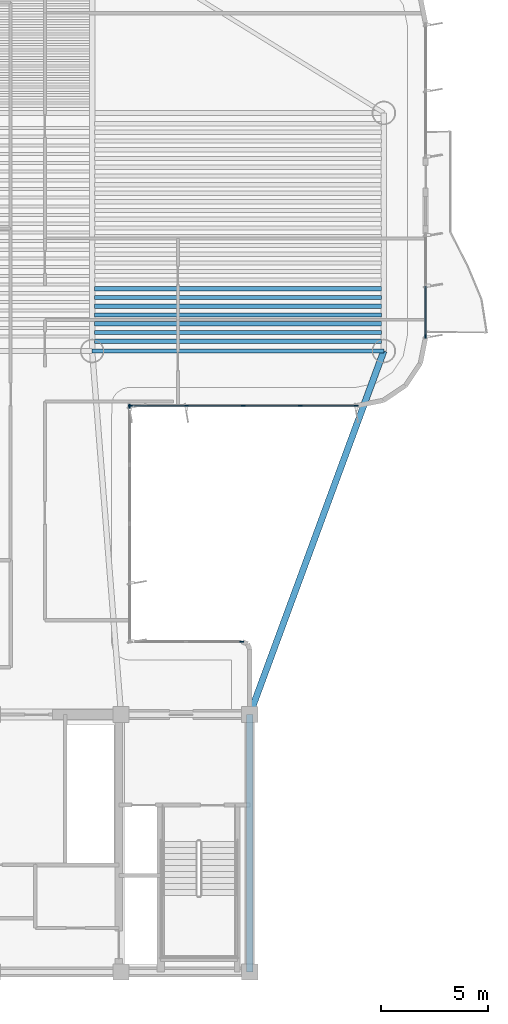
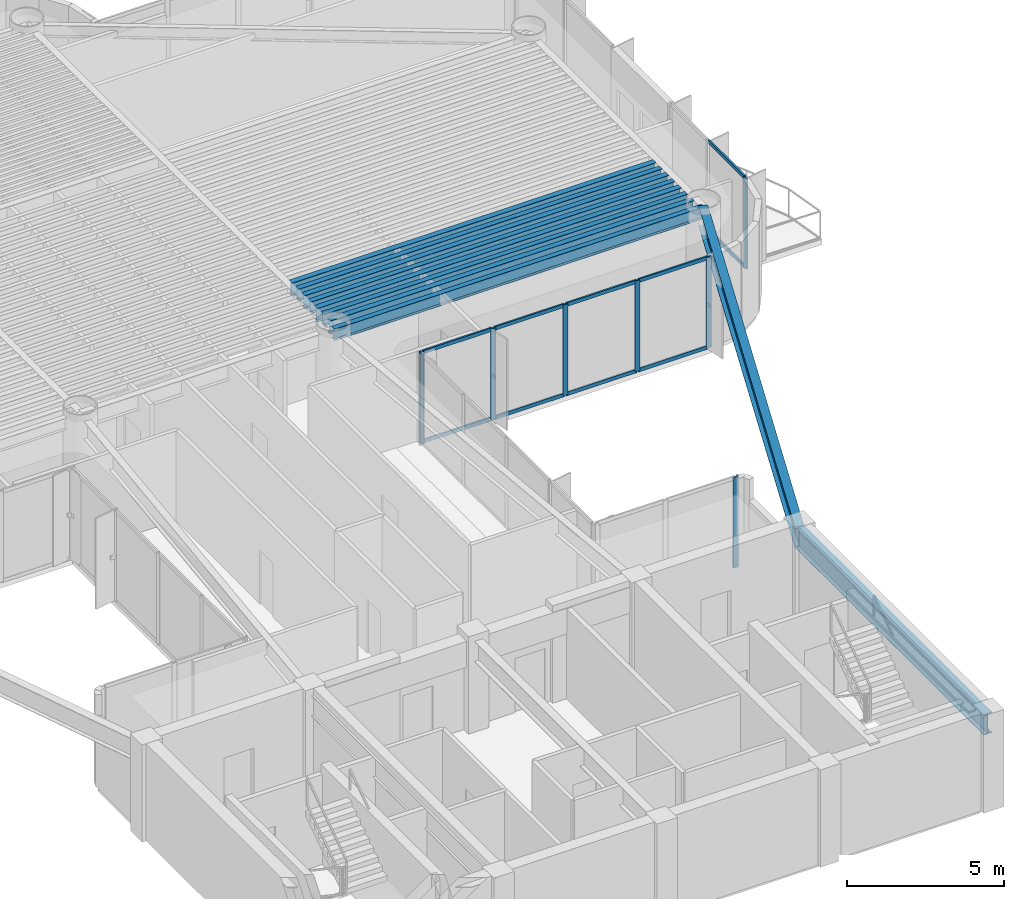
# One storey, part 4 of 14: 18 members, 10 beams, 4 elements without a shape of their own.
"""IFC4 building model written with IfcOpenShell, lengths in metres."""

import ifcopenshell
import ifcopenshell.guid

model = None  # the IFC model being written
_history = None  # IfcOwnerHistory: only IFC2X3 demands one
_inside = {}  # id of a spatial element -> (the spatial element, [elements in it])
_under = {}  # id of a project, library or spatial element -> (it, [spatial elements below it])
_declared = {}  # id of a project -> (the project, [libraries it declares])
_typed = {}  # id of a type object -> (the type object, [elements of that type])
_made_of = {}  # id of a material, layer set ... -> (it, [elements and type objects made of it])


def new_model(schema):
    """Start an empty IFC model of exactly this schema.

    Asked for "IFC4X3", IfcOpenShell would pick the latest addendum, in which some entities
    have other attributes; the version numbers below select the first issue.
    IFC2X3 requires an IfcOwnerHistory on every rooted entity: one is made here for all.
    """
    global model, _history
    if schema == "IFC4X3":
        model = ifcopenshell.file(schema_version=(4, 3, 0, 0))
    else:
        model = ifcopenshell.file(schema=schema)
    _inside.clear()
    _under.clear()
    _declared.clear()
    _typed.clear()
    _made_of.clear()
    _history = None
    if model.schema == "IFC2X3":
        org = make("IfcOrganization", Name="unknown")
        user = make(
            "IfcPersonAndOrganization",
            ThePerson=make("IfcPerson", FamilyName="unknown"),
            TheOrganization=org,
        )
        app = make(
            "IfcApplication",
            ApplicationDeveloper=org,
            Version="unknown",
            ApplicationFullName="unknown",
            ApplicationIdentifier="unknown",
        )
        _history = make(
            "IfcOwnerHistory",
            OwningUser=user,
            OwningApplication=app,
            ChangeAction="ADDED",
            CreationDate=0,
        )
    return model


def make(cls, **values):
    """One entity of the class cls with the attributes given. An attribute that is None is left unset."""
    return model.create_entity(
        cls, **{name: value for name, value in values.items() if value is not None}
    )


def rooted(cls, **values):
    """An entity with a GlobalId (a new one), such as an element, a storey or a relation."""
    return make(cls, GlobalId=ifcopenshell.guid.new(), OwnerHistory=_history, **values)


def si_unit(unit_type, name, prefix=None):
    """IfcSIUnit, for example si_unit("LENGTHUNIT", "METRE", prefix="MILLI")."""
    return make("IfcSIUnit", UnitType=unit_type, Prefix=prefix, Name=name)


def assignment(units):
    """IfcUnitAssignment: the units of a project."""
    return None if units is None else make("IfcUnitAssignment", Units=units)


def point(xyz):
    """IfcCartesianPoint."""
    return None if xyz is None else make("IfcCartesianPoint", Coordinates=xyz)


def direction(xyz):
    """IfcDirection."""
    return None if xyz is None else make("IfcDirection", DirectionRatios=xyz)


def frame(location, z_axis=None, x_axis=None):
    """IfcAxis2Placement3D, a coordinate frame: its origin and axes. An axis left out is left unset."""
    return make(
        "IfcAxis2Placement3D",
        Location=point(location),
        Axis=direction(z_axis),
        RefDirection=direction(x_axis),
    )


def frame_2d(location, x_axis=None):
    """IfcAxis2Placement2D, a coordinate frame in the plane: its origin and x axis."""
    return make(
        "IfcAxis2Placement2D", Location=point(location), RefDirection=direction(x_axis)
    )


def origin():
    """The frame at (0, 0, 0) with its axes left unset."""
    return frame((0.0, 0.0, 0.0))


def origin_2d():
    """The frame at (0, 0) in the plane with its x axis left unset."""
    return frame_2d((0.0, 0.0))


def place(relative_to, where):
    """IfcLocalPlacement: puts the frame where relative to a parent placement (None: the world)."""
    return make(
        "IfcLocalPlacement", PlacementRelTo=relative_to, RelativePlacement=where
    )


def context(
    kind, dimensions, precision=None, world=None, true_north=None, identifier=None
):
    """IfcGeometricRepresentationContext, for example the 3D "Model" context."""
    return make(
        "IfcGeometricRepresentationContext",
        ContextIdentifier=identifier,
        ContextType=kind,
        CoordinateSpaceDimension=dimensions,
        Precision=precision,
        WorldCoordinateSystem=world,
        TrueNorth=true_north,
    )


def subcontext(parent, identifier, kind, view, scale=None):
    """IfcGeometricRepresentationSubContext, for example "Body" below "Model"."""
    return make(
        "IfcGeometricRepresentationSubContext",
        ContextIdentifier=identifier,
        ContextType=kind,
        ParentContext=parent,
        TargetScale=scale,
        TargetView=view,
    )


def project(units=None, contexts=None):
    """IfcProject with its units and contexts."""
    return rooted(
        "IfcProject",
        Name="project",
        RepresentationContexts=contexts,
        UnitsInContext=assignment(units),
    )


def spatial(cls, under=None, at=None, **own):
    """A site, building, storey or space (cls), placed at a placement, below another one or the project."""
    s = rooted(cls, ObjectPlacement=at, **own)
    if under is not None:
        _under.setdefault(under.id(), (under, []))[1].append(s)
    return s


def profile(cls, at=None, kind="AREA", **sizes):
    """A parametric profile (cls). Its sizes go by their IFC names, for example OverallWidth=200.0."""
    return make(cls, ProfileType=kind, Position=at, **sizes)


def rectangle(**sizes):
    """IfcRectangleProfileDef."""
    return profile("IfcRectangleProfileDef", **sizes)


def i_section(**sizes):
    """IfcIShapeProfileDef."""
    return profile("IfcIShapeProfileDef", **sizes)


def extrude(swept, where, along, depth):
    """IfcExtrudedAreaSolid: the profile swept, set in the frame where, extruded along a direction by depth."""
    return make(
        "IfcExtrudedAreaSolid",
        SweptArea=swept,
        Position=where,
        ExtrudedDirection=direction(along),
        Depth=depth,
    )


def shape(context_of_items, identifier, shape_type, items):
    """IfcShapeRepresentation: the items that make up one representation, for example the "Body"."""
    return make(
        "IfcShapeRepresentation",
        ContextOfItems=context_of_items,
        RepresentationIdentifier=identifier,
        RepresentationType=shape_type,
        Items=items,
    )


def source(mapping_origin, context_of_items, identifier, shape_type, items):
    """IfcRepresentationMap: a shape defined once, which mapped items show again and again."""
    return make(
        "IfcRepresentationMap",
        MappingOrigin=mapping_origin,
        MappedRepresentation=shape(context_of_items, identifier, shape_type, items),
    )


def transform(
    local_origin,
    x_axis=None,
    y_axis=None,
    z_axis=None,
    scale=None,
    scale2=None,
    scale3=None,
    uniform=True,
):
    """IfcCartesianTransformationOperator3D, or its non-uniform kind. x_axis, y_axis, z_axis: its Axis1, 2, 3."""
    if uniform:
        return make(
            "IfcCartesianTransformationOperator3D",
            Axis1=direction(x_axis),
            Axis2=direction(y_axis),
            LocalOrigin=point(local_origin),
            Scale=scale,
            Axis3=direction(z_axis),
        )
    return make(
        "IfcCartesianTransformationOperator3DnonUniform",
        Axis1=direction(x_axis),
        Axis2=direction(y_axis),
        LocalOrigin=point(local_origin),
        Scale=scale,
        Axis3=direction(z_axis),
        Scale2=scale2,
        Scale3=scale3,
    )


def mapped(mapping_source, mapping_target):
    """IfcMappedItem: shows the shape of a source again, moved by a transform."""
    return make(
        "IfcMappedItem", MappingSource=mapping_source, MappingTarget=mapping_target
    )


def material(Name=None, Category=None):
    """IfcMaterial."""
    return make("IfcMaterial", Name=Name, Category=Category)


def layer(
    of_material, thickness, ventilated=None, Name=None, Category=None, Priority=None
):
    """IfcMaterialLayer: one layer of a wall or slab, of a material (None: an air gap)."""
    return make(
        "IfcMaterialLayer",
        Material=of_material,
        LayerThickness=thickness,
        IsVentilated=ventilated,
        Name=Name,
        Category=Category,
        Priority=Priority,
    )


def layer_set(layers, Name=None):
    """IfcMaterialLayerSet."""
    return make("IfcMaterialLayerSet", MaterialLayers=layers, LayerSetName=Name)


def material_profile(
    of_material, cross_section, Name=None, Category=None, Priority=None
):
    """IfcMaterialProfile: a cross section and its material."""
    return make(
        "IfcMaterialProfile",
        Name=Name,
        Material=of_material,
        Profile=cross_section,
        Priority=Priority,
        Category=Category,
    )


def profile_set(profiles, Name=None, composite=None):
    """IfcMaterialProfileSet."""
    return make(
        "IfcMaterialProfileSet",
        Name=Name,
        MaterialProfiles=profiles,
        CompositeProfile=composite,
    )


def made_of(thing, what):
    """Note that an element or type object is made of a material, layer set ...; save() writes the relation."""
    if what is not None:
        _made_of.setdefault(what.id(), (what, []))[1].append(thing)
    return thing


def type_object(cls, material=None, **own):
    """A type object (cls), such as IfcWallType, which elements share."""
    return made_of(rooted(cls, **own), material)


def element(
    cls,
    number,
    at=None,
    inside=None,
    cuts=None,
    type_object=None,
    material=None,
    context=None,
    identifier="Body",
    shape_type=None,
    held_by="IfcProductDefinitionShape",
    body=None,
    shapes=None,
    **own,
):
    """One element of the class cls, such as IfcWall. Its Tag is "e" and its number.

    at: its placement. inside: the storey or other place that contains it. cuts: it is an
    opening in that element (IfcRelVoidsElement). A single representation is given by context,
    identifier, shape_type and body (its items); several are given by shapes. held_by: the class
    of the entity that holds the representations. save() writes the other relations.
    """
    e = rooted(cls, Tag="e%d" % number, ObjectPlacement=at, **own)
    if body is not None:
        shapes = [shape(context, identifier, shape_type, body)]
    if shapes is not None:
        e.Representation = make(held_by, Representations=shapes)
    if inside is not None:
        _inside.setdefault(inside.id(), (inside, []))[1].append(e)
    if cuts is not None:
        rooted(
            "IfcRelVoidsElement", RelatingBuildingElement=cuts, RelatedOpeningElement=e
        )
    if type_object is not None:
        _typed.setdefault(type_object.id(), (type_object, []))[1].append(e)
    return made_of(e, material)


def aggregate(whole, parts):
    """IfcRelAggregates: a whole, such as a stair, and the parts it consists of."""
    return rooted("IfcRelAggregates", RelatingObject=whole, RelatedObjects=parts)


def save(model, path):
    """Write the relations noted so far, then the file.

    IfcRelAggregates (storeys below a building ...), IfcRelContainedInSpatialStructure (elements
    in a storey), IfcRelDefinesByType, IfcRelAssociatesMaterial and IfcRelDeclares: one each for
    every whole, place, type object, material and project.
    """
    for whole, parts in _under.values():
        aggregate(whole, parts)
    for where, things in _inside.values():
        rooted(
            "IfcRelContainedInSpatialStructure",
            RelatedElements=things,
            RelatingStructure=where,
        )
    for kind, things in _typed.values():
        rooted("IfcRelDefinesByType", RelatedObjects=things, RelatingType=kind)
    for what, things in _made_of.values():
        rooted("IfcRelAssociatesMaterial", RelatedObjects=things, RelatingMaterial=what)
    for by, libraries in _declared.values():
        rooted("IfcRelDeclares", RelatingContext=by, RelatedDefinitions=libraries)
    model.write(path)


model = new_model("IFC4")

# Units and contexts
model_context = context("Model", 3, precision=1e-05, world=origin(), true_north=direction((0.0, 1.0)))
body_context = subcontext(model_context, "Body", "Model", "MODEL_VIEW")
ifc_project = project(units=[si_unit("LENGTHUNIT", "METRE"), si_unit("AREAUNIT", "SQUARE_METRE"), si_unit("VOLUMEUNIT", "CUBIC_METRE"), si_unit("PLANEANGLEUNIT", "RADIAN"), si_unit("MASSUNIT", "GRAM", prefix="KILO")], contexts=[model_context])

# Site, building, storey
site_placement = place(None, origin())
site = spatial("IfcSite", under=ifc_project, at=site_placement, CompositionType="ELEMENT")
building_placement = place(site_placement, origin())
building = spatial("IfcBuilding", under=site, at=building_placement, Name="Brelvock Crest Care Tower", CompositionType="ELEMENT")
storey_placement = place(building_placement, frame((0.0, 0.0, 182.8798828125)))
storey = spatial("IfcBuildingStorey", under=building, at=storey_placement, Name="L46", CompositionType="ELEMENT", Elevation=182.8798828125)

# Beams
ifc_material_1 = material(Name="Steel Grade 350", Category="steel")
ifc_material_profile_1 = material_profile(ifc_material_1, i_section(OverallWidth=0.300048828125, OverallDepth=0.800048828125, WebThickness=0.013916015625, FlangeThickness=0.02197265625, at=origin_2d()), Name="800WB192")
ifc_profile_set_1 = profile_set([ifc_material_profile_1], Name="Steel Grade 350")
beam_type_1 = type_object("IfcBeamType", Name="BM-G5", PredefinedType="BEAM", material=ifc_profile_set_1)
shared_shape_1 = source(origin(), body_context, "Body", "SweptSolid", [
    extrude(i_section(OverallWidth=0.300048828125, OverallDepth=0.800048828125, WebThickness=0.013916015625, FlangeThickness=0.02197265625, at=origin_2d()), origin(), (0.0, 0.0, 1.0), 12.0),
])
beam_1_placement = place(storey_placement, frame((48.0, 6.0, 3.130126953125), z_axis=(0.0, 1.0, 0.0), x_axis=(-1.0, 0.0, 0.0)))
element("IfcBeam", 1, at=beam_1_placement, inside=storey, type_object=beam_type_1, Name="BM-COREX-L46-5", PredefinedType="BEAM", context=body_context, shape_type="MappedRepresentation", body=[
    mapped(shared_shape_1, transform((0.0, 0.0, 0.0), x_axis=(1.0, 0.0, 0.0), y_axis=(0.0, 1.0, 0.0), z_axis=(0.0, 0.0, 1.0), scale=1.0)),
])
ifc_material_profile_2 = material_profile(ifc_material_1, i_section(OverallWidth=0.208984375, OverallDepth=0.532958984375, WebThickness=0.01025390625, FlangeThickness=0.015625, FilletRadius=0.013916015625, at=origin_2d()), Name="530UB92.4")
ifc_profile_set_2 = profile_set([ifc_material_profile_2], Name="Steel Grade 350")
beam_type_2 = type_object("IfcBeamType", Name="BM-G2", PredefinedType="BEAM", material=ifc_profile_set_2)
shared_shape_2 = source(origin(), body_context, "Body", "SweptSolid", [
    extrude(i_section(OverallWidth=0.208984375, OverallDepth=0.532958984375, WebThickness=0.01025390625, FlangeThickness=0.015625, FilletRadius=0.013916015625, at=origin_2d()), origin(), (0.0, 0.0, 1.0), 13.3701171875),
])
for number, where, z_axis, x_axis, name in (
    (2, (40.764892578125, 35.416259765625, 3.263671875), (1.0, 0.0, 0.0), (0.0, 1.0, 0.0), "BM-JE-L46-1"),
    (3, (40.764892578125, 36.2265625, 3.263671875), (1.0, 0.0, 0.0), (0.0, 1.0, 0.0), "BM-JE-L46-3"),
    (4, (40.764892578125, 37.036865234375, 3.263671875), (1.0, 0.0, 0.0), (0.0, 1.0, 0.0), "BM-JE-L46-5"),
    (5, (40.764892578125, 37.84716796875, 3.263671875), (1.0, 0.0, 0.0), (0.0, 1.0, 0.0), "BM-JE-L46-7"),
):
    element("IfcBeam", number, at=place(storey_placement, frame(where, z_axis=z_axis, x_axis=x_axis)), inside=storey, type_object=beam_type_2, Name=name, PredefinedType="BEAM", context=body_context, shape_type="MappedRepresentation", body=[
        mapped(shared_shape_2, transform((0.0, 0.0, 0.0), x_axis=(1.0, 0.0, 0.0), y_axis=(0.0, 1.0, 0.0), z_axis=(0.0, 0.0, 1.0), scale=1.0)),
    ])
ifc_material_profile_3 = material_profile(ifc_material_1, i_section(OverallWidth=0.19091796875, OverallDepth=0.4599609375, WebThickness=0.010009765625, FlangeThickness=0.01611328125, FilletRadius=0.011474609375, at=origin_2d()), Name="460UB82.1")
ifc_profile_set_3 = profile_set([ifc_material_profile_3], Name="Steel Grade 350")
beam_type_3 = type_object("IfcBeamType", Name="BM-G3", PredefinedType="BEAM", material=ifc_profile_set_3)
shared_shape_3 = source(origin(), body_context, "Body", "SweptSolid", [
    extrude(i_section(OverallWidth=0.19091796875, OverallDepth=0.4599609375, WebThickness=0.010009765625, FlangeThickness=0.01611328125, FilletRadius=0.011474609375, at=origin_2d()), origin(), (0.0, 0.0, 1.0), 13.3701171875),
])
for number, where, z_axis, x_axis, name in (
    (6, (40.764892578125, 35.8212890625, 3.300048828125), (1.0, 0.0, 0.0), (0.0, 1.0, 0.0), "BM-JE-L46-2"),
    (7, (40.764892578125, 36.631591796875, 3.300048828125), (1.0, 0.0, 0.0), (0.0, 1.0, 0.0), "BM-JE-L46-4"),
    (8, (40.764892578125, 37.44189453125, 3.300048828125), (1.0, 0.0, 0.0), (0.0, 1.0, 0.0), "BM-JE-L46-6"),
):
    element("IfcBeam", number, at=place(storey_placement, frame(where, z_axis=z_axis, x_axis=x_axis)), inside=storey, type_object=beam_type_3, Name=name, PredefinedType="BEAM", context=body_context, shape_type="MappedRepresentation", body=[
        mapped(shared_shape_3, transform((0.0, 0.0, 0.0), x_axis=(1.0, 0.0, 0.0), y_axis=(0.0, 1.0, 0.0), z_axis=(0.0, 0.0, 1.0), scale=1.0)),
    ])
ifc_material_profile_4 = material_profile(ifc_material_1, i_section(OverallWidth=0.19091796875, OverallDepth=0.4599609375, WebThickness=0.010009765625, FlangeThickness=0.01611328125, FilletRadius=0.011474609375, at=origin_2d()), Name="460UB82.1")
ifc_profile_set_4 = profile_set([ifc_material_profile_4], Name="Steel Grade 350")
beam_type_4 = type_object("IfcBeamType", Name="BM-SP2", PredefinedType="SPANDREL", material=ifc_profile_set_4)
shared_shape_4 = source(origin(), body_context, "Body", "SweptSolid", [
    extrude(i_section(OverallWidth=0.19091796875, OverallDepth=0.4599609375, WebThickness=0.010009765625, FlangeThickness=0.01611328125, FilletRadius=0.011474609375, at=origin_2d()), origin(), (0.0, 0.0, 1.0), 13.60009765625),
])
beam_2_placement = place(storey_placement, frame((40.64990234375, 34.949951171875, 3.300048828125), z_axis=(1.0, 0.0, 0.0), x_axis=(0.0, 1.0, 0.0)))
element("IfcBeam", 9, at=beam_2_placement, inside=storey, type_object=beam_type_4, Name="BM-TWR-L46-04", PredefinedType="SPANDREL", context=body_context, shape_type="MappedRepresentation", body=[
    mapped(shared_shape_4, transform((0.0, 0.0, 0.0), x_axis=(1.0, 0.0, 0.0), y_axis=(0.0, 1.0, 0.0), z_axis=(0.0, 0.0, 1.0), scale=1.0)),
])
shared_shape_5 = source(origin(), body_context, "Body", "SweptSolid", [
    extrude(i_section(OverallWidth=0.300048828125, OverallDepth=0.800048828125, WebThickness=0.013916015625, FlangeThickness=0.02197265625, at=origin_2d()), origin(), (0.0, 0.0, 1.0), 18.0654296875),
])
beam_3_placement = place(storey_placement, frame((48.0, 18.0, 3.130126953125), z_axis=(0.345962741309, 0.938248251597, 0.0), x_axis=(-0.938248251597, 0.345962741309, 0.0)))
element("IfcBeam", 10, at=beam_3_placement, inside=storey, type_object=beam_type_1, Name="BM-THRO-E-L46", PredefinedType="BEAM", context=body_context, shape_type="MappedRepresentation", body=[
    mapped(shared_shape_5, transform((0.0, 0.0, 0.0), x_axis=(1.0, 0.0, 0.0), y_axis=(0.0, 1.0, 0.0), z_axis=(0.0, 0.0, 1.0), scale=1.0)),
])

# Curtain wall, member
ifc_material_2 = material(Name="Dark Glass Double Glazed Low-E", Category="glass")
ifc_layer = layer(ifc_material_2, 0.22509765625, Name="CWS-4")
ifc_layer_set = layer_set([ifc_layer], Name="Dark Glass Double Glazed Low-E")
curtain_wall_type = type_object("IfcCurtainWallType", Name="CWS-4", PredefinedType="NOTDEFINED", material=ifc_layer_set)
curtain_wall_1_placement = place(storey_placement, origin())
curtain_wall_1 = element("IfcCurtainWall", 11, at=curtain_wall_1_placement, inside=storey, type_object=curtain_wall_type, Name="L46 Curtain Wall E39B", PredefinedType="NOTDEFINED")
ifc_material_3 = material(Name="Aluminium 6063-T6", Category="aluminium")
ifc_material_profile_5 = material_profile(ifc_material_3, rectangle(XDim=0.06005859375, YDim=0.179931640625, at=origin_2d()), Name="ALU60x180")
ifc_profile_set_5 = profile_set([ifc_material_profile_5], Name="Aluminium 6063-T6")
member_type_1 = type_object("IfcMemberType", Name="CWM-2", PredefinedType="MULLION", material=ifc_profile_set_5)
shared_shape_6 = source(origin(), body_context, "Body", "SweptSolid", [
    extrude(rectangle(XDim=0.06005859375, YDim=0.179931640625, at=origin_2d()), origin(), (0.0, 0.0, 1.0), 3.530029296875),
])
member_1_placement = place(storey_placement, frame((56.199951171875, 35.6298828125, 0.0), z_axis=(0.0, 0.0, 1.0), x_axis=(1.0, 0.0, 0.0)))
member_1 = element("IfcMember", 12, at=member_1_placement, type_object=member_type_1, Name="CW-4 mullion 3", PredefinedType="MULLION", context=body_context, shape_type="MappedRepresentation", body=[
    mapped(shared_shape_6, transform((0.0, 0.0, 0.0), x_axis=(1.0, 0.0, 0.0), y_axis=(0.0, 1.0, 0.0), z_axis=(0.0, 0.0, 1.0), scale=1.0)),
])

# Curtain wall, members
curtain_wall_2_placement = place(storey_placement, origin())
curtain_wall_2 = element("IfcCurtainWall", 13, at=curtain_wall_2_placement, inside=storey, type_object=curtain_wall_type, Name="L46 Curtain Wall E44", PredefinedType="NOTDEFINED")
member_2_placement = place(storey_placement, frame((52.969970703125, 32.39990234375, 0.0), z_axis=(0.0, 0.0, 1.0), x_axis=(0.0, -1.0, 0.0)))
member_2 = element("IfcMember", 14, at=member_2_placement, type_object=member_type_1, Name="CW-4 mullion 1", PredefinedType="MULLION", context=body_context, shape_type="MappedRepresentation", body=[
    mapped(shared_shape_6, transform((0.0, 0.0, 0.0), x_axis=(1.0, 0.0, 0.0), y_axis=(0.0, 1.0, 0.0), z_axis=(0.0, 0.0, 1.0), scale=1.0)),
])
member_3_placement = place(storey_placement, frame((50.35009765625, 32.39990234375, 0.0), z_axis=(0.0, 0.0, 1.0), x_axis=(0.0, -1.0, 0.0)))
member_3 = element("IfcMember", 15, at=member_3_placement, type_object=member_type_1, Name="CW-4 mullion 2", PredefinedType="MULLION", context=body_context, shape_type="MappedRepresentation", body=[
    mapped(shared_shape_6, transform((0.0, 0.0, 0.0), x_axis=(1.0, 0.0, 0.0), y_axis=(0.0, 1.0, 0.0), z_axis=(0.0, 0.0, 1.0), scale=1.0)),
])
member_4_placement = place(storey_placement, frame((47.699951171875, 32.39990234375, 0.0), z_axis=(0.0, 0.0, 1.0), x_axis=(0.0, -1.0, 0.0)))
member_4 = element("IfcMember", 16, at=member_4_placement, type_object=member_type_1, Name="CW-4 mullion 3", PredefinedType="MULLION", context=body_context, shape_type="MappedRepresentation", body=[
    mapped(shared_shape_6, transform((0.0, 0.0, 0.0), x_axis=(1.0, 0.0, 0.0), y_axis=(0.0, 1.0, 0.0), z_axis=(0.0, 0.0, 1.0), scale=1.0)),
])
member_5_placement = place(storey_placement, frame((45.050048828125, 32.39990234375, 0.0), z_axis=(0.0, 0.0, 1.0), x_axis=(0.0, -1.0, 0.0)))
member_5 = element("IfcMember", 17, at=member_5_placement, type_object=member_type_1, Name="CW-4 mullion 4", PredefinedType="MULLION", context=body_context, shape_type="MappedRepresentation", body=[
    mapped(shared_shape_6, transform((0.0, 0.0, 0.0), x_axis=(1.0, 0.0, 0.0), y_axis=(0.0, 1.0, 0.0), z_axis=(0.0, 0.0, 1.0), scale=1.0)),
])
member_6_placement = place(storey_placement, frame((42.429931640625, 32.39990234375, 0.0), z_axis=(0.0, 0.0, 1.0), x_axis=(0.0, -1.0, 0.0)))
member_6 = element("IfcMember", 18, at=member_6_placement, type_object=member_type_1, Name="CW-4 mullion 5", PredefinedType="MULLION", context=body_context, shape_type="MappedRepresentation", body=[
    mapped(shared_shape_6, transform((0.0, 0.0, 0.0), x_axis=(1.0, 0.0, 0.0), y_axis=(0.0, 1.0, 0.0), z_axis=(0.0, 0.0, 1.0), scale=1.0)),
])

# Curtain wall, member
curtain_wall_3_placement = place(storey_placement, origin())
curtain_wall_3 = element("IfcCurtainWall", 19, at=curtain_wall_3_placement, inside=storey, type_object=curtain_wall_type, Name="L46 Curtain Wall E45", PredefinedType="NOTDEFINED")
member_7_placement = place(storey_placement, frame((42.39990234375, 32.3701171875, 0.0), z_axis=(0.0, 0.0, 1.0), x_axis=(1.0, 0.0, 0.0)))
member_7 = element("IfcMember", 20, at=member_7_placement, type_object=member_type_1, Name="CW-4 mullion 1", PredefinedType="MULLION", context=body_context, shape_type="MappedRepresentation", body=[
    mapped(shared_shape_6, transform((0.0, 0.0, 0.0), x_axis=(1.0, 0.0, 0.0), y_axis=(0.0, 1.0, 0.0), z_axis=(0.0, 0.0, 1.0), scale=1.0)),
])
aggregate(curtain_wall_3, [member_7])

curtain_wall_4_placement = place(storey_placement, origin())
curtain_wall_4 = element("IfcCurtainWall", 21, at=curtain_wall_4_placement, inside=storey, type_object=curtain_wall_type, Name="L46 Curtain Wall E46", PredefinedType="NOTDEFINED")
member_8_placement = place(storey_placement, frame((47.6201171875, 21.39990234375, 0.0), z_axis=(0.0, 0.0, 1.0), x_axis=(0.0, 1.0, 0.0)))
member_8 = element("IfcMember", 22, at=member_8_placement, type_object=member_type_1, Name="CW-4 mullion 3", PredefinedType="MULLION", context=body_context, shape_type="MappedRepresentation", body=[
    mapped(shared_shape_6, transform((0.0, 0.0, 0.0), x_axis=(1.0, 0.0, 0.0), y_axis=(0.0, 1.0, 0.0), z_axis=(0.0, 0.0, 1.0), scale=1.0)),
])
aggregate(curtain_wall_4, [member_8])

# Member
ifc_material_profile_6 = material_profile(ifc_material_3, rectangle(XDim=0.06005859375, YDim=0.139892578125, at=origin_2d()), Name="ALU60x140")
ifc_profile_set_6 = profile_set([ifc_material_profile_6], Name="Aluminium 6063-T6")
member_type_2 = type_object("IfcMemberType", Name="CWT-2", PredefinedType="USERDEFINED", material=ifc_profile_set_6)
shared_shape_7 = source(origin(), body_context, "Body", "SweptSolid", [
    extrude(rectangle(XDim=0.06005859375, YDim=0.139892578125, at=origin_2d()), origin(), (0.0, 0.0, 1.0), 2.56005859375),
])
member_9_placement = place(storey_placement, frame((52.93994140625, 32.39990234375, 0.030029296875), z_axis=(-1.0, 0.0, 0.0), x_axis=(0.0, -1.0, 0.0)))
member_9 = element("IfcMember", 23, at=member_9_placement, type_object=member_type_2, Name="CW-4 transom 1.1", ObjectType="TRANSOM", PredefinedType="USERDEFINED", context=body_context, shape_type="MappedRepresentation", body=[
    mapped(shared_shape_7, transform((0.0, 0.0, 0.0), x_axis=(1.0, 0.0, 0.0), y_axis=(0.0, 1.0, 0.0), z_axis=(0.0, 0.0, 1.0), scale=1.0)),
])

member_10_placement = place(storey_placement, frame((52.93994140625, 32.39990234375, 3.5), z_axis=(-1.0, 0.0, 0.0), x_axis=(0.0, -1.0, 0.0)))
member_10 = element("IfcMember", 24, at=member_10_placement, type_object=member_type_2, Name="CW-4 transom 1.2", ObjectType="TRANSOM", PredefinedType="USERDEFINED", context=body_context, shape_type="MappedRepresentation", body=[
    mapped(shared_shape_7, transform((0.0, 0.0, 0.0), x_axis=(1.0, 0.0, 0.0), y_axis=(0.0, 1.0, 0.0), z_axis=(0.0, 0.0, 1.0), scale=1.0)),
])

member_11_placement = place(storey_placement, frame((45.02001953125, 32.39990234375, 0.030029296875), z_axis=(-1.0, 0.0, 0.0), x_axis=(0.0, -1.0, 0.0)))
member_11 = element("IfcMember", 25, at=member_11_placement, type_object=member_type_2, Name="CW-4 transom 4.1", ObjectType="TRANSOM", PredefinedType="USERDEFINED", context=body_context, shape_type="MappedRepresentation", body=[
    mapped(shared_shape_7, transform((0.0, 0.0, 0.0), x_axis=(1.0, 0.0, 0.0), y_axis=(0.0, 1.0, 0.0), z_axis=(0.0, 0.0, 1.0), scale=1.0)),
])

member_12_placement = place(storey_placement, frame((45.02001953125, 32.39990234375, 3.5), z_axis=(-1.0, 0.0, 0.0), x_axis=(0.0, -1.0, 0.0)))
member_12 = element("IfcMember", 26, at=member_12_placement, type_object=member_type_2, Name="CW-4 transom 4.2", ObjectType="TRANSOM", PredefinedType="USERDEFINED", context=body_context, shape_type="MappedRepresentation", body=[
    mapped(shared_shape_7, transform((0.0, 0.0, 0.0), x_axis=(1.0, 0.0, 0.0), y_axis=(0.0, 1.0, 0.0), z_axis=(0.0, 0.0, 1.0), scale=1.0)),
])

shared_shape_8 = source(origin(), body_context, "Body", "SweptSolid", [
    extrude(rectangle(XDim=0.06005859375, YDim=0.139892578125, at=origin_2d()), origin(), (0.0, 0.0, 1.0), 2.58984375),
])
member_13_placement = place(storey_placement, frame((47.669921875, 32.39990234375, 0.030029296875), z_axis=(-1.0, 0.0, 0.0), x_axis=(0.0, -1.0, 0.0)))
member_13 = element("IfcMember", 27, at=member_13_placement, type_object=member_type_2, Name="CW-4 transom 3.1", ObjectType="TRANSOM", PredefinedType="USERDEFINED", context=body_context, shape_type="MappedRepresentation", body=[
    mapped(shared_shape_8, transform((0.0, 0.0, 0.0), x_axis=(1.0, 0.0, 0.0), y_axis=(0.0, 1.0, 0.0), z_axis=(0.0, 0.0, 1.0), scale=1.0)),
])

member_14_placement = place(storey_placement, frame((47.669921875, 32.39990234375, 3.5), z_axis=(-1.0, 0.0, 0.0), x_axis=(0.0, -1.0, 0.0)))
member_14 = element("IfcMember", 28, at=member_14_placement, type_object=member_type_2, Name="CW-4 transom 3.2", ObjectType="TRANSOM", PredefinedType="USERDEFINED", context=body_context, shape_type="MappedRepresentation", body=[
    mapped(shared_shape_8, transform((0.0, 0.0, 0.0), x_axis=(1.0, 0.0, 0.0), y_axis=(0.0, 1.0, 0.0), z_axis=(0.0, 0.0, 1.0), scale=1.0)),
])

shared_shape_9 = source(origin(), body_context, "Body", "SweptSolid", [
    extrude(rectangle(XDim=0.06005859375, YDim=0.139892578125, at=origin_2d()), origin(), (0.0, 0.0, 1.0), 2.590087890625),
])
member_15_placement = place(storey_placement, frame((50.320068359375, 32.39990234375, 0.030029296875), z_axis=(-1.0, 0.0, 0.0), x_axis=(0.0, -1.0, 0.0)))
member_15 = element("IfcMember", 29, at=member_15_placement, type_object=member_type_2, Name="CW-4 transom 2.1", ObjectType="TRANSOM", PredefinedType="USERDEFINED", context=body_context, shape_type="MappedRepresentation", body=[
    mapped(shared_shape_9, transform((0.0, 0.0, 0.0), x_axis=(1.0, 0.0, 0.0), y_axis=(0.0, 1.0, 0.0), z_axis=(0.0, 0.0, 1.0), scale=1.0)),
])

member_16_placement = place(storey_placement, frame((50.320068359375, 32.39990234375, 3.5), z_axis=(-1.0, 0.0, 0.0), x_axis=(0.0, -1.0, 0.0)))
member_16 = element("IfcMember", 30, at=member_16_placement, type_object=member_type_2, Name="CW-4 transom 2.2", ObjectType="TRANSOM", PredefinedType="USERDEFINED", context=body_context, shape_type="MappedRepresentation", body=[
    mapped(shared_shape_9, transform((0.0, 0.0, 0.0), x_axis=(1.0, 0.0, 0.0), y_axis=(0.0, 1.0, 0.0), z_axis=(0.0, 0.0, 1.0), scale=1.0)),
])

aggregate(curtain_wall_2, [member_2, member_3, member_4, member_5, member_6, member_9, member_10, member_15, member_16, member_13, member_14, member_11, member_12])

shared_shape_10 = source(origin(), body_context, "Body", "SweptSolid", [
    extrude(rectangle(XDim=0.06005859375, YDim=0.139892578125, at=origin_2d()), origin(), (0.0, 0.0, 1.0), 2.31005859375),
])
member_17_placement = place(storey_placement, frame((56.199951171875, 37.969970703125, 0.030029296875), z_axis=(0.0, -1.0, 0.0), x_axis=(1.0, 0.0, 0.0)))
member_17 = element("IfcMember", 31, at=member_17_placement, type_object=member_type_2, Name="CW-4 transom 2.1", ObjectType="TRANSOM", PredefinedType="USERDEFINED", context=body_context, shape_type="MappedRepresentation", body=[
    mapped(shared_shape_10, transform((0.0, 0.0, 0.0), x_axis=(1.0, 0.0, 0.0), y_axis=(0.0, 1.0, 0.0), z_axis=(0.0, 0.0, 1.0), scale=1.0)),
])

member_18_placement = place(storey_placement, frame((56.199951171875, 37.969970703125, 3.5), z_axis=(0.0, -1.0, 0.0), x_axis=(1.0, 0.0, 0.0)))
member_18 = element("IfcMember", 32, at=member_18_placement, type_object=member_type_2, Name="CW-4 transom 2.2", ObjectType="TRANSOM", PredefinedType="USERDEFINED", context=body_context, shape_type="MappedRepresentation", body=[
    mapped(shared_shape_10, transform((0.0, 0.0, 0.0), x_axis=(1.0, 0.0, 0.0), y_axis=(0.0, 1.0, 0.0), z_axis=(0.0, 0.0, 1.0), scale=1.0)),
])

aggregate(curtain_wall_1, [member_1, member_17, member_18])

save(model, "model.ifc")
